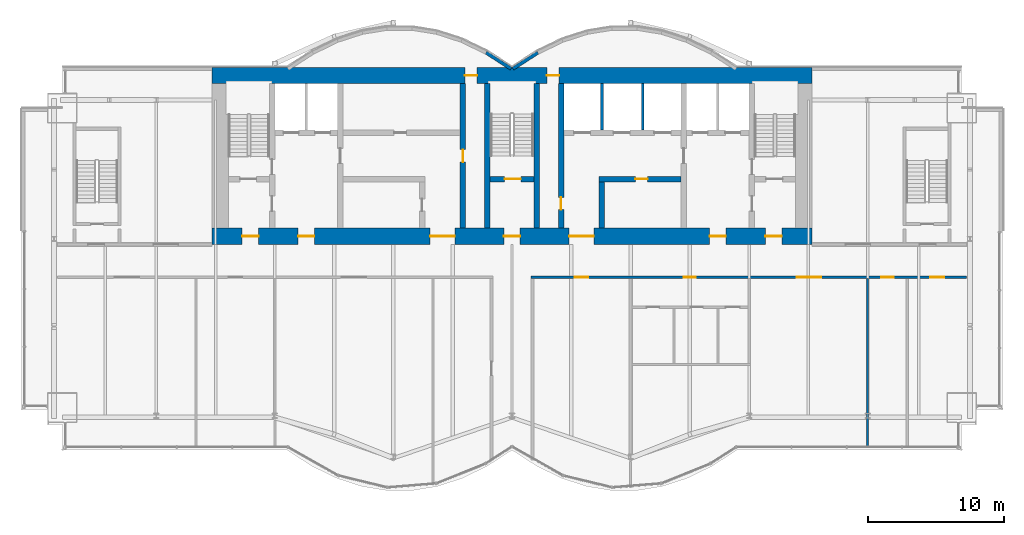
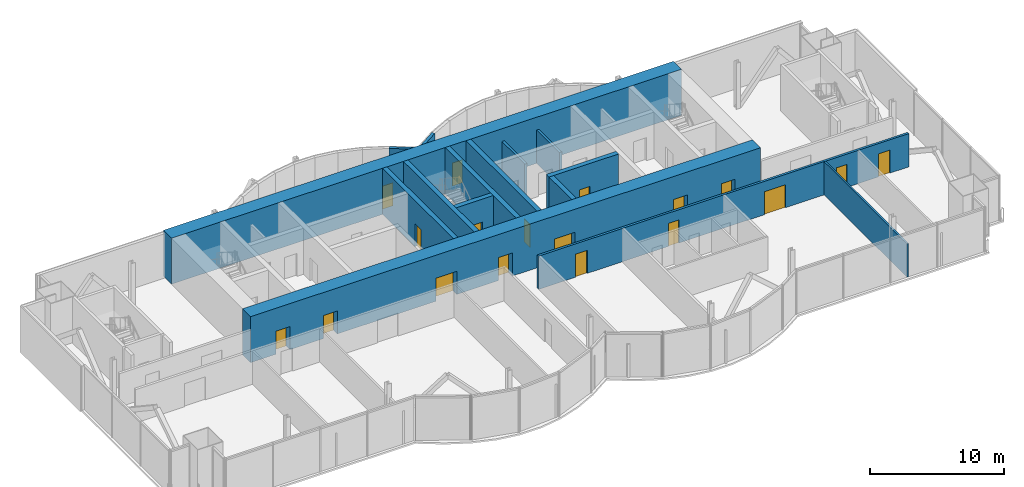
# One storey, part 14 of 19: 18 doors, 15 walls, 18 openings.
"""IFC4 building model written with IfcOpenShell, lengths in metres."""

from ifc_helpers import new_model, si_unit, direction, frame, frame_2d, origin, place, context, subcontext, project, spatial, rectangle, extrude, material, layer, layer_set, layer_usage, type_object, element, fill, save


model = new_model("IFC4")

# Units and contexts
model_context = context("Model", 3, precision=1e-05, world=origin(), true_north=direction((0.0, 1.0)))
body_context = subcontext(model_context, "Body", "Model", "MODEL_VIEW")
ifc_project = project(units=[si_unit("LENGTHUNIT", "METRE"), si_unit("AREAUNIT", "SQUARE_METRE"), si_unit("VOLUMEUNIT", "CUBIC_METRE"), si_unit("PLANEANGLEUNIT", "RADIAN"), si_unit("MASSUNIT", "GRAM", prefix="KILO")], contexts=[model_context])

# Site, building, storey
site_placement = place(None, origin())
site = spatial("IfcSite", under=ifc_project, at=site_placement, CompositionType="ELEMENT")
building_placement = place(site_placement, origin())
building = spatial("IfcBuilding", under=site, at=building_placement, Name="Bicima Exchange Tower", CompositionType="ELEMENT")
storey_placement = place(building_placement, frame((0.0, 0.0, 279.199951171875)))
storey = spatial("IfcBuildingStorey", under=building, at=storey_placement, Name="L63", CompositionType="ELEMENT", Elevation=279.199951171875)

# Walls
ifc_material_1 = material(Name="Gypsum board partition")
ifc_layer_1 = layer(ifc_material_1, 0.199951171875)
ifc_layer_set_1 = layer_set([ifc_layer_1], Name="Gypsum board partition")
wall_type_1 = type_object("IfcWallType", Name="Fire-rated gypsum partition 200 EI120", PredefinedType="PARTITIONING", material=ifc_layer_set_1)
for number, where, z_axis, x_axis, name in (
    (1, (6.60009765625, -4.60009765625, 0.0), (0.0, 0.0, 1.0), (0.0, 1.0, 0.0), "partition wall 17"),
    (2, (9.60009765625, -4.60009765625, 0.0), (0.0, 0.0, 1.0), (0.0, 1.0, 0.0), "partition wall 18"),
):
    element("IfcWall", number, at=place(storey_placement, frame(where, z_axis=z_axis, x_axis=x_axis)), inside=storey, type_object=wall_type_1, Name=name, PredefinedType="PARTITIONING", context=body_context, shape_type="SweptSolid", body=[
        extrude(rectangle(XDim=3.400146484375, YDim=0.199951171875, at=frame_2d((1.7001953125, 0.0))), origin(), (0.0, 0.0, 1.0), 3.03955078125),
    ])

# Wall, openings, doors
ifc_layer_2 = layer(ifc_material_1, 0.199951171875)
ifc_layer_set_2 = layer_set([ifc_layer_2], Name="Gypsum board partition")
wall_type_2 = type_object("IfcWallType", Name="Fire-rated gypsum partition 200 EI60", PredefinedType="PARTITIONING", material=ifc_layer_set_2)
wall_1_placement = place(storey_placement, frame((1.39990234375, -15.39990234375, 0.0), z_axis=(0.0, 0.0, 1.0), x_axis=(1.0, 0.0, 0.0)))
wall_1 = element("IfcWall", 3, at=wall_1_placement, inside=storey, type_object=wall_type_2, Name="partition wall 4", PredefinedType="PARTITIONING", context=body_context, shape_type="SweptSolid", body=[
    extrude(rectangle(XDim=31.940185546875, YDim=0.199951171875, at=frame_2d((15.97021484375, 0.0))), origin(), (0.0, 0.0, 1.0), 3.03955078125),
])
opening_1_placement = place(wall_1_placement, frame((3.199951171875, 0.0, 0.0)))
opening_1 = element("IfcOpeningElement", 4, at=opening_1_placement, cuts=wall_1, Name="Opening L63-011", PredefinedType="OPENING", context=body_context, shape_type="SweptSolid", body=[
    extrude(rectangle(XDim=1.0, YDim=2.10009765625, at=frame_2d((0.5, 1.050048828125))), frame((0.0, 0.11181640625, 0.0), z_axis=(0.0, -1.0, 0.0), x_axis=(1.0, 0.0, 0.0)), (0.0, 0.0, 1.0), 0.223876953125),
])
opening_2_placement = place(wall_1_placement, frame((11.199951171875, 0.0, 0.0)))
opening_2 = element("IfcOpeningElement", 5, at=opening_2_placement, cuts=wall_1, Name="Opening L63-012", PredefinedType="OPENING", context=body_context, shape_type="SweptSolid", body=[
    extrude(rectangle(XDim=0.89990234375, YDim=2.10009765625, at=frame_2d((0.449951171875, 1.050048828125))), frame((0.0, 0.11181640625, 0.0), z_axis=(0.0, -1.0, 0.0), x_axis=(1.0, 0.0, 0.0)), (0.0, 0.0, 1.0), 0.223876953125),
])
opening_3_placement = place(wall_1_placement, frame((19.5, 0.0, 0.0)))
opening_3 = element("IfcOpeningElement", 6, at=opening_3_placement, cuts=wall_1, Name="Opening L63-016", PredefinedType="OPENING", context=body_context, shape_type="SweptSolid", body=[
    extrude(rectangle(XDim=1.800048828125, YDim=2.10009765625, at=frame_2d((0.89990234375, 1.050048828125))), frame((0.0, 0.11181640625, 0.0), z_axis=(0.0, -1.0, 0.0), x_axis=(1.0, 0.0, 0.0)), (0.0, 0.0, 1.0), 0.223876953125),
])
opening_4_placement = place(wall_1_placement, frame((25.699951171875, 0.0, 0.0)))
opening_4 = element("IfcOpeningElement", 7, at=opening_4_placement, cuts=wall_1, Name="Opening L63-017", PredefinedType="OPENING", context=body_context, shape_type="SweptSolid", body=[
    extrude(rectangle(XDim=0.89990234375, YDim=2.10009765625, at=frame_2d((0.449951171875, 1.050048828125))), frame((0.0, 0.11181640625, 0.0), z_axis=(0.0, -1.0, 0.0), x_axis=(1.0, 0.0, 0.0)), (0.0, 0.0, 1.0), 0.223876953125),
])
opening_5_placement = place(wall_1_placement, frame((29.300048828125, 0.0, 0.0)))
opening_5 = element("IfcOpeningElement", 8, at=opening_5_placement, cuts=wall_1, Name="Opening L63-018", PredefinedType="OPENING", context=body_context, shape_type="SweptSolid", body=[
    extrude(rectangle(XDim=1.0, YDim=2.10009765625, at=frame_2d((0.5, 1.050048828125))), frame((0.0, 0.11181640625, 0.0), z_axis=(0.0, -1.0, 0.0), x_axis=(1.0, 0.0, 0.0)), (0.0, 0.0, 1.0), 0.223876953125),
])
ifc_material_2 = material(Name="Steel fire door leaf", Category="steel")
door_type_1 = type_object("IfcDoorType", Name="Door 1000 swing FD30S", OperationType="SINGLE_SWING_LEFT", PredefinedType="DOOR", material=ifc_material_2)
door_1_placement = place(opening_1_placement, frame((1.0, 0.0, 0.0), z_axis=(0.0, 0.0, 1.0), x_axis=(-1.0, 0.0, 0.0)))
door_1 = element("IfcDoor", 9, at=door_1_placement, inside=storey, type_object=door_type_1, Name="Door", OperationType="SINGLE_SWING_RIGHT", OverallHeight=2.10009765625, OverallWidth=1.0, PredefinedType="DOOR", context=body_context, shape_type="SweptSolid", body=[
    extrude(rectangle(XDim=1.0, YDim=2.10009765625, at=frame_2d((0.5, 1.050048828125))), frame((0.0, 0.02490234375, 0.0), z_axis=(0.0, -1.0, 0.0), x_axis=(1.0, 0.0, 0.0)), (0.0, 0.0, 1.0), 0.050048828125),
])
fill(opening_1, door_1)
door_2_placement = place(opening_5_placement, frame((1.0, 0.0, 0.0), z_axis=(0.0, 0.0, 1.0), x_axis=(-1.0, 0.0, 0.0)))
door_2 = element("IfcDoor", 10, at=door_2_placement, inside=storey, type_object=door_type_1, Name="Door", OperationType="SINGLE_SWING_RIGHT", OverallHeight=2.10009765625, OverallWidth=1.0, PredefinedType="DOOR", context=body_context, shape_type="SweptSolid", body=[
    extrude(rectangle(XDim=1.0, YDim=2.10009765625, at=frame_2d((0.5, 1.050048828125))), frame((0.0, 0.02490234375, 0.0), z_axis=(0.0, -1.0, 0.0), x_axis=(1.0, 0.0, 0.0)), (0.0, 0.0, 1.0), 0.050048828125),
])
fill(opening_5, door_2)
door_type_2 = type_object("IfcDoorType", Name="Door 1800 double swing FD30S", OperationType="DOUBLE_DOOR_SINGLE_SWING", PredefinedType="DOOR", material=ifc_material_2)
door_3_placement = place(opening_3_placement, origin())
door_3 = element("IfcDoor", 11, at=door_3_placement, inside=storey, type_object=door_type_2, Name="Door", OperationType="SINGLE_SWING_LEFT", OverallHeight=2.10009765625, OverallWidth=1.800048828125, PredefinedType="DOOR", context=body_context, shape_type="SweptSolid", body=[
    extrude(rectangle(XDim=1.800048828125, YDim=2.10009765625, at=frame_2d((0.89990234375, 1.050048828125))), frame((0.0, 0.02490234375, 0.0), z_axis=(0.0, -1.0, 0.0), x_axis=(1.0, 0.0, 0.0)), (0.0, 0.0, 1.0), 0.050048828125),
])
fill(opening_3, door_3)
door_type_3 = type_object("IfcDoorType", Name="Door 900 swing FD30S", OperationType="SINGLE_SWING_LEFT", PredefinedType="DOOR", material=ifc_material_2)
door_4_placement = place(opening_2_placement, frame((0.89990234375, 0.0, 0.0), z_axis=(0.0, 0.0, 1.0), x_axis=(-1.0, 0.0, 0.0)))
door_4 = element("IfcDoor", 12, at=door_4_placement, inside=storey, type_object=door_type_3, Name="Door", OperationType="SINGLE_SWING_RIGHT", OverallHeight=2.10009765625, OverallWidth=0.89990234375, PredefinedType="DOOR", context=body_context, shape_type="SweptSolid", body=[
    extrude(rectangle(XDim=0.89990234375, YDim=2.10009765625, at=frame_2d((0.449951171875, 1.050048828125))), frame((0.0, 0.02490234375, 0.0), z_axis=(0.0, -1.0, 0.0), x_axis=(1.0, 0.0, 0.0)), (0.0, 0.0, 1.0), 0.050048828125),
])
fill(opening_2, door_4)
door_5_placement = place(opening_4_placement, frame((0.89990234375, 0.0, 0.0), z_axis=(0.0, 0.0, 1.0), x_axis=(-1.0, 0.0, 0.0)))
door_5 = element("IfcDoor", 13, at=door_5_placement, inside=storey, type_object=door_type_3, Name="Door", OperationType="SINGLE_SWING_RIGHT", OverallHeight=2.10009765625, OverallWidth=0.89990234375, PredefinedType="DOOR", context=body_context, shape_type="SweptSolid", body=[
    extrude(rectangle(XDim=0.89990234375, YDim=2.10009765625, at=frame_2d((0.449951171875, 1.050048828125))), frame((0.0, 0.02490234375, 0.0), z_axis=(0.0, -1.0, 0.0), x_axis=(1.0, 0.0, 0.0)), (0.0, 0.0, 1.0), 0.050048828125),
])
fill(opening_4, door_5)

# Wall
ifc_layer_3 = layer(ifc_material_1, 0.14990234375)
ifc_layer_set_3 = layer_set([ifc_layer_3], Name="Gypsum board partition")
wall_type_3 = type_object("IfcWallType", Name="Gypsum partition 150", PredefinedType="PARTITIONING", material=ifc_layer_set_3)
wall_2_placement = place(storey_placement, frame((26.10009765625, -27.8798828125, 0.0), z_axis=(0.0, 0.0, 1.0), x_axis=(0.0, 1.0, 0.0)))
element("IfcWall", 14, at=wall_2_placement, inside=storey, type_object=wall_type_3, Name="partition wall 24", PredefinedType="PARTITIONING", context=body_context, shape_type="SweptSolid", body=[
    extrude(rectangle(XDim=12.3798828125, YDim=0.14990234375, at=frame_2d((6.18994140625, 0.0))), origin(), (0.0, 0.0, 1.0), 3.03955078125),
])

# Wall, openings, doors
ifc_material_3 = material(Name="Concrete C40/50", Category="concrete")
ifc_layer_4 = layer(ifc_material_3, 1.199951171875)
ifc_layer_set_4 = layer_set([ifc_layer_4], Name="Concrete C40/50")
wall_type_4 = type_object("IfcWallType", Name="RC core wall 1200 C40/50", PredefinedType="SHEAR", material=ifc_layer_set_4)
wall_3_placement = place(storey_placement, frame((-22.0, -0.60009765625, 0.0), z_axis=(0.0, 0.0, 1.0), x_axis=(1.0, 0.0, 0.0)))
wall_3 = element("IfcWall", 15, at=wall_3_placement, inside=storey, type_object=wall_type_4, Name="Core wall north", PredefinedType="SHEAR", context=body_context, shape_type="SweptSolid", body=[
    extrude(rectangle(XDim=44.0, YDim=1.199951171875, at=frame_2d((22.0, 0.0))), origin(), (0.0, 0.0, 1.0), 4.199951171875),
])
opening_6_placement = place(wall_3_placement, frame((18.550048828125, 0.0, 0.0)))
opening_6 = element("IfcOpeningElement", 16, at=opening_6_placement, cuts=wall_3, Name="Opening L63-C15", PredefinedType="OPENING", context=body_context, shape_type="SweptSolid", body=[
    extrude(rectangle(XDim=0.89990234375, YDim=2.10009765625, at=frame_2d((0.449951171875, 1.050048828125))), frame((0.0, 0.61181640625, 0.0), z_axis=(0.0, -1.0, 0.0), x_axis=(1.0, 0.0, 0.0)), (0.0, 0.0, 1.0), 1.223876953125),
])
opening_7_placement = place(wall_3_placement, frame((24.550048828125, 0.0, 0.0)))
opening_7 = element("IfcOpeningElement", 17, at=opening_7_placement, cuts=wall_3, Name="Opening L63-C16", PredefinedType="OPENING", context=body_context, shape_type="SweptSolid", body=[
    extrude(rectangle(XDim=0.89990234375, YDim=2.10009765625, at=frame_2d((0.449951171875, 1.050048828125))), frame((0.0, 0.61181640625, 0.0), z_axis=(0.0, -1.0, 0.0), x_axis=(1.0, 0.0, 0.0)), (0.0, 0.0, 1.0), 1.223876953125),
])
door_6_placement = place(opening_6_placement, origin())
door_6 = element("IfcDoor", 18, at=door_6_placement, inside=storey, type_object=door_type_3, Name="Core door", OperationType="SINGLE_SWING_LEFT", OverallHeight=2.10009765625, OverallWidth=0.89990234375, PredefinedType="DOOR", context=body_context, shape_type="SweptSolid", body=[
    extrude(rectangle(XDim=0.89990234375, YDim=2.10009765625, at=frame_2d((0.449951171875, 1.050048828125))), frame((0.0, 0.02490234375, 0.0), z_axis=(0.0, -1.0, 0.0), x_axis=(1.0, 0.0, 0.0)), (0.0, 0.0, 1.0), 0.050048828125),
])
fill(opening_6, door_6)
door_7_placement = place(opening_7_placement, origin())
door_7 = element("IfcDoor", 19, at=door_7_placement, inside=storey, type_object=door_type_3, Name="Core door", OperationType="SINGLE_SWING_LEFT", OverallHeight=2.10009765625, OverallWidth=0.89990234375, PredefinedType="DOOR", context=body_context, shape_type="SweptSolid", body=[
    extrude(rectangle(XDim=0.89990234375, YDim=2.10009765625, at=frame_2d((0.449951171875, 1.050048828125))), frame((0.0, 0.02490234375, 0.0), z_axis=(0.0, -1.0, 0.0), x_axis=(1.0, 0.0, 0.0)), (0.0, 0.0, 1.0), 0.050048828125),
])
fill(opening_7, door_7)

wall_4_placement = place(storey_placement, frame((-22.0, -12.39990234375, 0.0), z_axis=(0.0, 0.0, 1.0), x_axis=(1.0, 0.0, 0.0)))
wall_4 = element("IfcWall", 20, at=wall_4_placement, inside=storey, type_object=wall_type_4, Name="Core wall south", PredefinedType="SHEAR", context=body_context, shape_type="SweptSolid", body=[
    extrude(rectangle(XDim=44.0, YDim=1.199951171875, at=frame_2d((22.0, 0.0))), origin(), (0.0, 0.0, 1.0), 4.199951171875),
])
opening_8_placement = place(wall_4_placement, frame((2.199951171875, 0.0, 0.0)))
opening_8 = element("IfcOpeningElement", 21, at=opening_8_placement, cuts=wall_4, Name="Opening L63-C17", PredefinedType="OPENING", context=body_context, shape_type="SweptSolid", body=[
    extrude(rectangle(XDim=1.199951171875, YDim=2.10009765625, at=frame_2d((0.60009765625, 1.050048828125))), frame((0.0, 0.61181640625, 0.0), z_axis=(0.0, -1.0, 0.0), x_axis=(1.0, 0.0, 0.0)), (0.0, 0.0, 1.0), 1.223876953125),
])
opening_9_placement = place(wall_4_placement, frame((21.39990234375, 0.0, 0.0)))
opening_9 = element("IfcOpeningElement", 22, at=opening_9_placement, cuts=wall_4, Name="Opening L63-C18", PredefinedType="OPENING", context=body_context, shape_type="SweptSolid", body=[
    extrude(rectangle(XDim=1.199951171875, YDim=2.10009765625, at=frame_2d((0.60009765625, 1.050048828125))), frame((0.0, 0.61181640625, 0.0), z_axis=(0.0, -1.0, 0.0), x_axis=(1.0, 0.0, 0.0)), (0.0, 0.0, 1.0), 1.223876953125),
])
opening_10_placement = place(wall_4_placement, frame((40.60009765625, 0.0, 0.0)))
opening_10 = element("IfcOpeningElement", 23, at=opening_10_placement, cuts=wall_4, Name="Opening L63-C19", PredefinedType="OPENING", context=body_context, shape_type="SweptSolid", body=[
    extrude(rectangle(XDim=1.199951171875, YDim=2.10009765625, at=frame_2d((0.60009765625, 1.050048828125))), frame((0.0, 0.61181640625, 0.0), z_axis=(0.0, -1.0, 0.0), x_axis=(1.0, 0.0, 0.0)), (0.0, 0.0, 1.0), 1.223876953125),
])
opening_11_placement = place(wall_4_placement, frame((16.0, 0.0, 0.0)))
opening_11 = element("IfcOpeningElement", 24, at=opening_11_placement, cuts=wall_4, Name="Opening L63-C20", PredefinedType="OPENING", context=body_context, shape_type="SweptSolid", body=[
    extrude(rectangle(XDim=1.800048828125, YDim=2.10009765625, at=frame_2d((0.89990234375, 1.050048828125))), frame((0.0, 0.61181640625, 0.0), z_axis=(0.0, -1.0, 0.0), x_axis=(1.0, 0.0, 0.0)), (0.0, 0.0, 1.0), 1.223876953125),
])
opening_12_placement = place(wall_4_placement, frame((6.300048828125, 0.0, 0.0)))
opening_12 = element("IfcOpeningElement", 25, at=opening_12_placement, cuts=wall_4, Name="Opening L63-C21", PredefinedType="OPENING", context=body_context, shape_type="SweptSolid", body=[
    extrude(rectangle(XDim=1.199951171875, YDim=2.10009765625, at=frame_2d((0.60009765625, 1.050048828125))), frame((0.0, 0.61181640625, 0.0), z_axis=(0.0, -1.0, 0.0), x_axis=(1.0, 0.0, 0.0)), (0.0, 0.0, 1.0), 1.223876953125),
])
opening_13_placement = place(wall_4_placement, frame((26.199951171875, 0.0, 0.0)))
opening_13 = element("IfcOpeningElement", 26, at=opening_13_placement, cuts=wall_4, Name="Opening L63-C22", PredefinedType="OPENING", context=body_context, shape_type="SweptSolid", body=[
    extrude(rectangle(XDim=1.800048828125, YDim=2.10009765625, at=frame_2d((0.89990234375, 1.050048828125))), frame((0.0, 0.61181640625, 0.0), z_axis=(0.0, -1.0, 0.0), x_axis=(1.0, 0.0, 0.0)), (0.0, 0.0, 1.0), 1.223876953125),
])
opening_14_placement = place(wall_4_placement, frame((36.5, 0.0, 0.0)))
opening_14 = element("IfcOpeningElement", 27, at=opening_14_placement, cuts=wall_4, Name="Opening L63-C23", PredefinedType="OPENING", context=body_context, shape_type="SweptSolid", body=[
    extrude(rectangle(XDim=1.199951171875, YDim=2.10009765625, at=frame_2d((0.60009765625, 1.050048828125))), frame((0.0, 0.61181640625, 0.0), z_axis=(0.0, -1.0, 0.0), x_axis=(1.0, 0.0, 0.0)), (0.0, 0.0, 1.0), 1.223876953125),
])
door_type_4 = type_object("IfcDoorType", Name="Door 1200 swing FD60S", OperationType="SINGLE_SWING_LEFT", PredefinedType="DOOR", material=ifc_material_2)
door_8_placement = place(opening_8_placement, frame((1.199951171875, 0.0, 0.0), z_axis=(0.0, 0.0, 1.0), x_axis=(-1.0, 0.0, 0.0)))
door_8 = element("IfcDoor", 28, at=door_8_placement, inside=storey, type_object=door_type_4, Name="Core door", OperationType="SINGLE_SWING_RIGHT", OverallHeight=2.10009765625, OverallWidth=1.199951171875, PredefinedType="DOOR", context=body_context, shape_type="SweptSolid", body=[
    extrude(rectangle(XDim=1.199951171875, YDim=2.10009765625, at=frame_2d((0.60009765625, 1.050048828125))), frame((0.0, 0.02490234375, 0.0), z_axis=(0.0, -1.0, 0.0), x_axis=(1.0, 0.0, 0.0)), (0.0, 0.0, 1.0), 0.050048828125),
])
fill(opening_8, door_8)
door_9_placement = place(opening_9_placement, frame((1.199951171875, 0.0, 0.0), z_axis=(0.0, 0.0, 1.0), x_axis=(-1.0, 0.0, 0.0)))
door_9 = element("IfcDoor", 29, at=door_9_placement, inside=storey, type_object=door_type_4, Name="Core door", OperationType="SINGLE_SWING_RIGHT", OverallHeight=2.10009765625, OverallWidth=1.199951171875, PredefinedType="DOOR", context=body_context, shape_type="SweptSolid", body=[
    extrude(rectangle(XDim=1.199951171875, YDim=2.10009765625, at=frame_2d((0.60009765625, 1.050048828125))), frame((0.0, 0.02490234375, 0.0), z_axis=(0.0, -1.0, 0.0), x_axis=(1.0, 0.0, 0.0)), (0.0, 0.0, 1.0), 0.050048828125),
])
fill(opening_9, door_9)
door_10_placement = place(opening_10_placement, frame((1.199951171875, 0.0, 0.0), z_axis=(0.0, 0.0, 1.0), x_axis=(-1.0, 0.0, 0.0)))
door_10 = element("IfcDoor", 30, at=door_10_placement, inside=storey, type_object=door_type_4, Name="Core door", OperationType="SINGLE_SWING_RIGHT", OverallHeight=2.10009765625, OverallWidth=1.199951171875, PredefinedType="DOOR", context=body_context, shape_type="SweptSolid", body=[
    extrude(rectangle(XDim=1.199951171875, YDim=2.10009765625, at=frame_2d((0.60009765625, 1.050048828125))), frame((0.0, 0.02490234375, 0.0), z_axis=(0.0, -1.0, 0.0), x_axis=(1.0, 0.0, 0.0)), (0.0, 0.0, 1.0), 0.050048828125),
])
fill(opening_10, door_10)
door_11_placement = place(opening_12_placement, frame((1.199951171875, 0.0, 0.0), z_axis=(0.0, 0.0, 1.0), x_axis=(-1.0, 0.0, 0.0)))
door_11 = element("IfcDoor", 31, at=door_11_placement, inside=storey, type_object=door_type_4, Name="Core door", OperationType="SINGLE_SWING_RIGHT", OverallHeight=2.10009765625, OverallWidth=1.199951171875, PredefinedType="DOOR", context=body_context, shape_type="SweptSolid", body=[
    extrude(rectangle(XDim=1.199951171875, YDim=2.10009765625, at=frame_2d((0.60009765625, 1.050048828125))), frame((0.0, 0.02490234375, 0.0), z_axis=(0.0, -1.0, 0.0), x_axis=(1.0, 0.0, 0.0)), (0.0, 0.0, 1.0), 0.050048828125),
])
fill(opening_12, door_11)
door_12_placement = place(opening_14_placement, frame((1.199951171875, 0.0, 0.0), z_axis=(0.0, 0.0, 1.0), x_axis=(-1.0, 0.0, 0.0)))
door_12 = element("IfcDoor", 32, at=door_12_placement, inside=storey, type_object=door_type_4, Name="Core door", OperationType="SINGLE_SWING_RIGHT", OverallHeight=2.10009765625, OverallWidth=1.199951171875, PredefinedType="DOOR", context=body_context, shape_type="SweptSolid", body=[
    extrude(rectangle(XDim=1.199951171875, YDim=2.10009765625, at=frame_2d((0.60009765625, 1.050048828125))), frame((0.0, 0.02490234375, 0.0), z_axis=(0.0, -1.0, 0.0), x_axis=(1.0, 0.0, 0.0)), (0.0, 0.0, 1.0), 0.050048828125),
])
fill(opening_14, door_12)
door_13_placement = place(opening_11_placement, origin())
door_13 = element("IfcDoor", 33, at=door_13_placement, inside=storey, type_object=door_type_2, Name="Core door", OperationType="SINGLE_SWING_LEFT", OverallHeight=2.10009765625, OverallWidth=1.800048828125, PredefinedType="DOOR", context=body_context, shape_type="SweptSolid", body=[
    extrude(rectangle(XDim=1.800048828125, YDim=2.10009765625, at=frame_2d((0.89990234375, 1.050048828125))), frame((0.0, 0.02490234375, 0.0), z_axis=(0.0, -1.0, 0.0), x_axis=(1.0, 0.0, 0.0)), (0.0, 0.0, 1.0), 0.050048828125),
])
fill(opening_11, door_13)
door_14_placement = place(opening_13_placement, origin())
door_14 = element("IfcDoor", 34, at=door_14_placement, inside=storey, type_object=door_type_2, Name="Core door", OperationType="SINGLE_SWING_LEFT", OverallHeight=2.10009765625, OverallWidth=1.800048828125, PredefinedType="DOOR", context=body_context, shape_type="SweptSolid", body=[
    extrude(rectangle(XDim=1.800048828125, YDim=2.10009765625, at=frame_2d((0.89990234375, 1.050048828125))), frame((0.0, 0.02490234375, 0.0), z_axis=(0.0, -1.0, 0.0), x_axis=(1.0, 0.0, 0.0)), (0.0, 0.0, 1.0), 0.050048828125),
])
fill(opening_13, door_14)

# Wall, opening, door
ifc_layer_5 = layer(ifc_material_3, 0.39990234375)
ifc_layer_set_5 = layer_set([ifc_layer_5], Name="Concrete C40/50")
wall_type_5 = type_object("IfcWallType", Name="RC core wall 400 C40/50", PredefinedType="SHEAR", material=ifc_layer_set_5)
wall_5_placement = place(storey_placement, frame((6.39990234375, -8.199951171875, 0.0), z_axis=(0.0, 0.0, 1.0), x_axis=(1.0, 0.0, 0.0)))
wall_5 = element("IfcWall", 35, at=wall_5_placement, inside=storey, type_object=wall_type_5, Name="shear wall 4", PredefinedType="SHEAR", context=body_context, shape_type="SweptSolid", body=[
    extrude(rectangle(XDim=6.0, YDim=0.39990234375, at=frame_2d((3.0, 0.0))), origin(), (0.0, 0.0, 1.0), 4.199951171875),
])
opening_15_placement = place(wall_5_placement, frame((2.64990234375, 0.0, 0.0)))
opening_15 = element("IfcOpeningElement", 36, at=opening_15_placement, cuts=wall_5, Name="Opening L63-C14", PredefinedType="OPENING", context=body_context, shape_type="SweptSolid", body=[
    extrude(rectangle(XDim=0.89990234375, YDim=2.10009765625, at=frame_2d((0.449951171875, 1.050048828125))), frame((0.0, 0.2119140625, 0.0), z_axis=(0.0, -1.0, 0.0), x_axis=(1.0, 0.0, 0.0)), (0.0, 0.0, 1.0), 0.423828125),
])
door_15_placement = place(opening_15_placement, frame((0.89990234375, 0.0, 0.0), z_axis=(0.0, 0.0, 1.0), x_axis=(-1.0, 0.0, 0.0)))
door_15 = element("IfcDoor", 37, at=door_15_placement, inside=storey, type_object=door_type_3, Name="Core door", OperationType="SINGLE_SWING_LEFT", OverallHeight=2.10009765625, OverallWidth=0.89990234375, PredefinedType="DOOR", context=body_context, shape_type="SweptSolid", body=[
    extrude(rectangle(XDim=0.89990234375, YDim=2.10009765625, at=frame_2d((0.449951171875, 1.050048828125))), frame((0.0, 0.02490234375, 0.0), z_axis=(0.0, -1.0, 0.0), x_axis=(1.0, 0.0, 0.0)), (0.0, 0.0, 1.0), 0.050048828125),
])
fill(opening_15, door_15)

wall_6_placement = place(storey_placement, frame((-3.60009765625, -11.800048828125, 0.0), z_axis=(0.0, 0.0, 1.0), x_axis=(0.0, 1.0, 0.0)))
wall_6 = element("IfcWall", 38, at=wall_6_placement, inside=storey, type_object=wall_type_5, Name="shear wall 12", PredefinedType="SHEAR", context=body_context, shape_type="SweptSolid", body=[
    extrude(rectangle(XDim=10.60009765625, YDim=0.39990234375, at=frame_2d((5.300048828125, 0.0))), origin(), (0.0, 0.0, 1.0), 4.199951171875),
])
opening_16_placement = place(wall_6_placement, frame((4.85009765625, 0.0, 0.0)))
opening_16 = element("IfcOpeningElement", 39, at=opening_16_placement, cuts=wall_6, Name="Opening L63-C10", PredefinedType="OPENING", context=body_context, shape_type="SweptSolid", body=[
    extrude(rectangle(XDim=0.89990234375, YDim=2.10009765625, at=frame_2d((0.449951171875, 1.050048828125))), frame((0.0, 0.2119140625, 0.0), z_axis=(0.0, -1.0, 0.0), x_axis=(1.0, 0.0, 0.0)), (0.0, 0.0, 1.0), 0.423828125),
])
door_16_placement = place(opening_16_placement, frame((0.89990234375, 0.0, 0.0), z_axis=(0.0, 0.0, 1.0), x_axis=(-1.0, 0.0, 0.0)))
door_16 = element("IfcDoor", 40, at=door_16_placement, inside=storey, type_object=door_type_3, Name="Core door", OperationType="SINGLE_SWING_LEFT", OverallHeight=2.10009765625, OverallWidth=0.89990234375, PredefinedType="DOOR", context=body_context, shape_type="SweptSolid", body=[
    extrude(rectangle(XDim=0.89990234375, YDim=2.10009765625, at=frame_2d((0.449951171875, 1.050048828125))), frame((0.0, 0.02490234375, 0.0), z_axis=(0.0, -1.0, 0.0), x_axis=(1.0, 0.0, 0.0)), (0.0, 0.0, 1.0), 0.050048828125),
])
fill(opening_16, door_16)

wall_7_placement = place(storey_placement, frame((3.60009765625, -11.800048828125, 0.0), z_axis=(0.0, 0.0, 1.0), x_axis=(0.0, 1.0, 0.0)))
wall_7 = element("IfcWall", 41, at=wall_7_placement, inside=storey, type_object=wall_type_5, Name="shear wall 15", PredefinedType="SHEAR", context=body_context, shape_type="SweptSolid", body=[
    extrude(rectangle(XDim=10.60009765625, YDim=0.39990234375, at=frame_2d((5.300048828125, 0.0))), origin(), (0.0, 0.0, 1.0), 4.199951171875),
])
opening_17_placement = place(wall_7_placement, frame((1.35009765625, 0.0, 0.0)))
opening_17 = element("IfcOpeningElement", 42, at=opening_17_placement, cuts=wall_7, Name="Opening L63-C11", PredefinedType="OPENING", context=body_context, shape_type="SweptSolid", body=[
    extrude(rectangle(XDim=0.89990234375, YDim=2.10009765625, at=frame_2d((0.449951171875, 1.050048828125))), frame((0.0, 0.2119140625, 0.0), z_axis=(0.0, -1.0, 0.0), x_axis=(1.0, 0.0, 0.0)), (0.0, 0.0, 1.0), 0.423828125),
])
door_17_placement = place(opening_17_placement, origin())
door_17 = element("IfcDoor", 43, at=door_17_placement, inside=storey, type_object=door_type_3, Name="Core door", OperationType="SINGLE_SWING_LEFT", OverallHeight=2.10009765625, OverallWidth=0.89990234375, PredefinedType="DOOR", context=body_context, shape_type="SweptSolid", body=[
    extrude(rectangle(XDim=0.89990234375, YDim=2.10009765625, at=frame_2d((0.449951171875, 1.050048828125))), frame((0.0, 0.02490234375, 0.0), z_axis=(0.0, -1.0, 0.0), x_axis=(1.0, 0.0, 0.0)), (0.0, 0.0, 1.0), 0.050048828125),
])
fill(opening_17, door_17)

# Wall
wall_8_placement = place(storey_placement, frame((6.60009765625, -11.800048828125, 0.0), z_axis=(0.0, 0.0, 1.0), x_axis=(0.0, 1.0, 0.0)))
element("IfcWall", 44, at=wall_8_placement, inside=storey, type_object=wall_type_5, Name="shear wall 16", PredefinedType="SHEAR", context=body_context, shape_type="SweptSolid", body=[
    extrude(rectangle(XDim=3.400146484375, YDim=0.39990234375, at=frame_2d((1.7001953125, 0.0))), origin(), (0.0, 0.0, 1.0), 4.199951171875),
])

# Wall, opening, door
ifc_material_4 = material(Name="Concrete C50/60", Category="concrete")
ifc_layer_6 = layer(ifc_material_4, 0.39990234375)
ifc_layer_set_6 = layer_set([ifc_layer_6], Name="Concrete C50/60")
wall_type_6 = type_object("IfcWallType", Name="RC core wall 400 C50/60", PredefinedType="SHEAR", material=ifc_layer_set_6)
wall_9_placement = place(storey_placement, frame((-1.60009765625, -8.199951171875, 0.0), z_axis=(0.0, 0.0, 1.0), x_axis=(1.0, 0.0, 0.0)))
wall_9 = element("IfcWall", 45, at=wall_9_placement, inside=storey, type_object=wall_type_6, Name="stair wall 3", PredefinedType="SHEAR", context=body_context, shape_type="SweptSolid", body=[
    extrude(rectangle(XDim=3.2001953125, YDim=0.39990234375, at=frame_2d((1.60009765625, 0.0))), origin(), (0.0, 0.0, 1.0), 4.199951171875),
])
opening_18_placement = place(wall_9_placement, frame((1.050048828125, 0.0, 0.0)))
opening_18 = element("IfcOpeningElement", 46, at=opening_18_placement, cuts=wall_9, Name="Opening L63-C03", PredefinedType="OPENING", context=body_context, shape_type="SweptSolid", body=[
    extrude(rectangle(XDim=1.199951171875, YDim=2.10009765625, at=frame_2d((0.60009765625, 1.050048828125))), frame((0.0, 0.2119140625, 0.0), z_axis=(0.0, -1.0, 0.0), x_axis=(1.0, 0.0, 0.0)), (0.0, 0.0, 1.0), 0.423828125),
])
door_18_placement = place(opening_18_placement, origin())
door_18 = element("IfcDoor", 47, at=door_18_placement, inside=storey, type_object=door_type_4, Name="Core door", OperationType="SINGLE_SWING_LEFT", OverallHeight=2.10009765625, OverallWidth=1.199951171875, PredefinedType="DOOR", context=body_context, shape_type="SweptSolid", body=[
    extrude(rectangle(XDim=1.199951171875, YDim=2.10009765625, at=frame_2d((0.60009765625, 1.050048828125))), frame((0.0, 0.02490234375, 0.0), z_axis=(0.0, -1.0, 0.0), x_axis=(1.0, 0.0, 0.0)), (0.0, 0.0, 1.0), 0.050048828125),
])
fill(opening_18, door_18)

# Walls
for number, where, z_axis, x_axis, name in (
    (48, (-1.800048828125, -11.800048828125, 0.0), (0.0, 0.0, 1.0), (0.0, 1.0, 0.0), "stair wall 13"),
    (49, (1.800048828125, -11.800048828125, 0.0), (0.0, 0.0, 1.0), (0.0, 1.0, 0.0), "stair wall 14"),
):
    element("IfcWall", number, at=place(storey_placement, frame(where, z_axis=z_axis, x_axis=x_axis)), inside=storey, type_object=wall_type_6, Name=name, PredefinedType="SHEAR", context=body_context, shape_type="SweptSolid", body=[
        extrude(rectangle(XDim=10.60009765625, YDim=0.39990234375, at=frame_2d((5.300048828125, 0.0))), origin(), (0.0, 0.0, 1.0), 4.199951171875),
    ])
ifc_layer_7 = layer(ifc_material_3, 0.25)
ifc_layer_set_7 = layer_set([ifc_layer_7], Name="Concrete C40/50")
ifc_layer_usage = layer_usage(ifc_layer_set_7, "AXIS2", "POSITIVE", -0.125)
wall_type_7 = type_object("IfcWallType", Name="Rear backup wall 250", PredefinedType="STANDARD", material=ifc_layer_set_7)
for number, where, z_axis, x_axis, name in (
    (50, (1.901123046875, 1.080078125, 0.0), (0.0, 0.0, 1.0), (-0.83981312244, -0.542875602121, 0.0), "Rear backup wall L63 10"),
    (51, (-0.06787109375, -0.10498046875, 0.0), (0.0, 0.0, 1.0), (-0.83981312244, 0.542875602121, 0.0), "Rear backup wall L63 11"),
):
    element("IfcWall", number, at=place(storey_placement, frame(where, z_axis=z_axis, x_axis=x_axis)), inside=storey, type_object=wall_type_7, material=ifc_layer_usage, Name=name, PredefinedType="STANDARD", context=body_context, shape_type="SweptSolid", body=[
        extrude(rectangle(XDim=2.182861328125, YDim=0.25, at=frame_2d((1.09130859375, 0.0))), origin(), (0.0, 0.0, 1.0), 4.050048828125),
    ])

save(model, "model.ifc")
